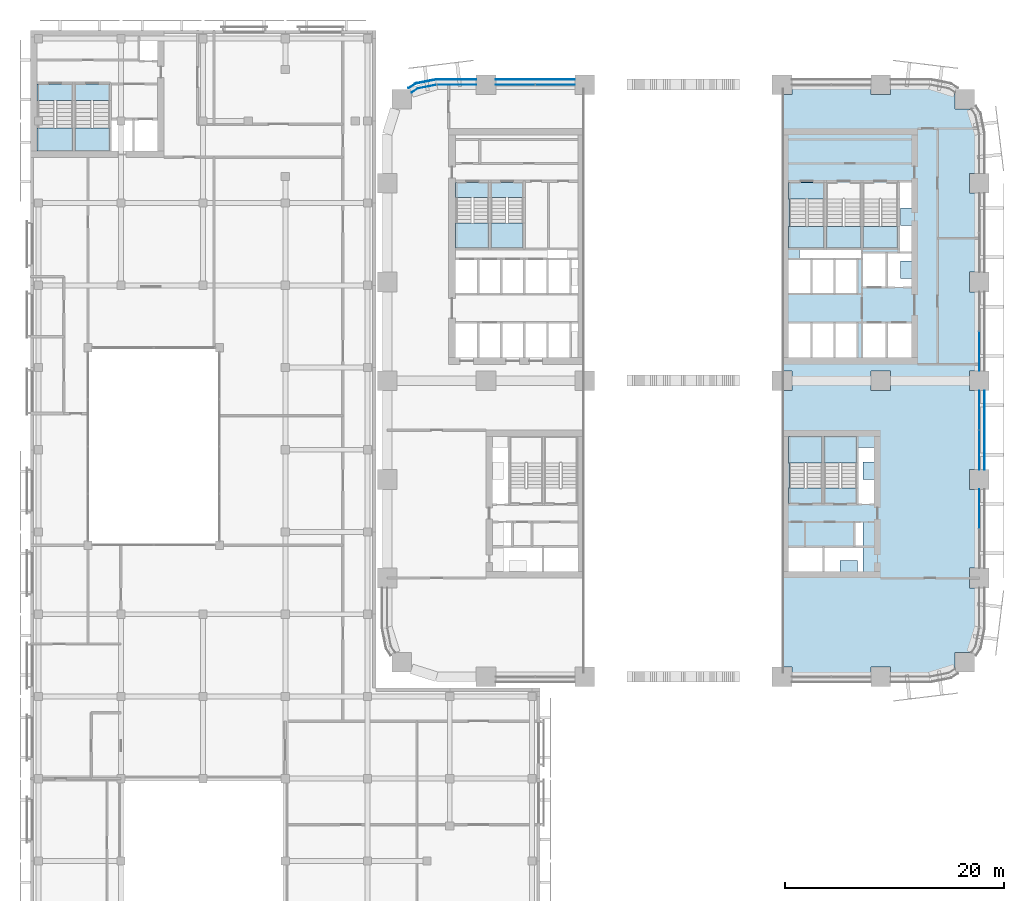
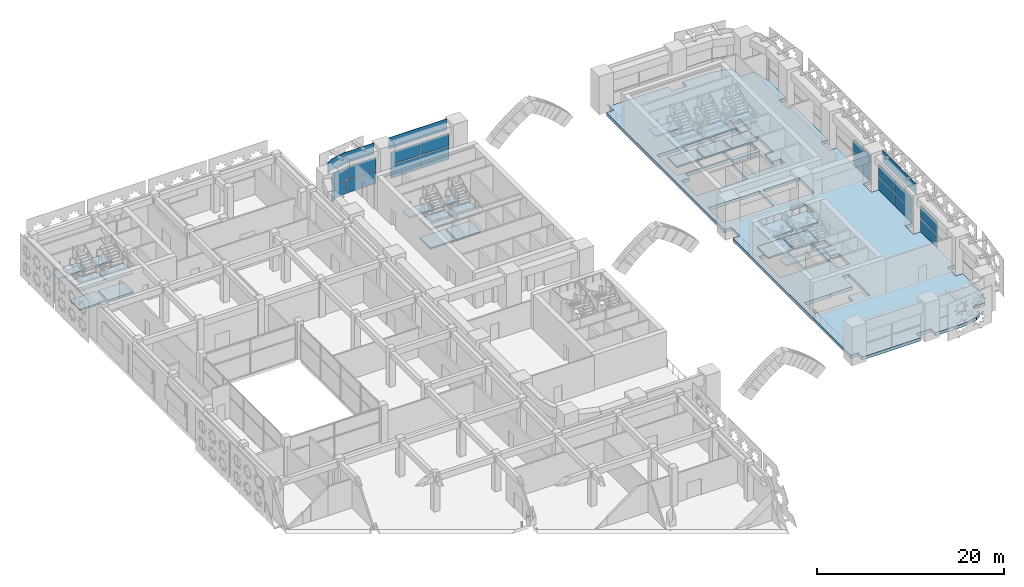
# One storey, part 12 of 40: 26 slabs, 19 plates, 14 elements without a shape of their own.
"""IFC4 building model written with IfcOpenShell, lengths in metres."""

from ifc_helpers import new_model, si_unit, direction, frame, origin, origin_2d, place, context, subcontext, project, spatial, polyline, rectangle, outline, extrude, material, layer, layer_set, type_object, element, aggregate, save


model = new_model("IFC4")

# Units and contexts
model_context = context("Model", 3, precision=1e-05, world=origin(), true_north=direction((0.0, 1.0)))
body_context = subcontext(model_context, "Body", "Model", "MODEL_VIEW")
ifc_project = project(units=[si_unit("LENGTHUNIT", "METRE"), si_unit("AREAUNIT", "SQUARE_METRE"), si_unit("VOLUMEUNIT", "CUBIC_METRE"), si_unit("PLANEANGLEUNIT", "RADIAN"), si_unit("MASSUNIT", "GRAM", prefix="KILO")], contexts=[model_context])

# Site, building, storey
site_placement = place(None, origin())
site = spatial("IfcSite", under=ifc_project, at=site_placement, CompositionType="ELEMENT")
building_placement = place(site_placement, origin())
building = spatial("IfcBuilding", under=site, at=building_placement, Name="Tessera Arch", CompositionType="ELEMENT")
storey_placement = place(building_placement, frame((0.0, 0.0, 21.0)))
storey = spatial("IfcBuildingStorey", under=building, at=storey_placement, Name="L03", CompositionType="ELEMENT", Elevation=21.0)

# Curtain wall, plates
ifc_material_1 = material(Name="CW2 curtain wall")
curtain_wall_type_1 = type_object("IfcCurtainWallType", Name="CW2 curtain wall", PredefinedType="NOTDEFINED", material=ifc_material_1)
curtain_wall_1_placement = place(storey_placement, origin())
curtain_wall_1 = element("IfcCurtainWall", 1, at=curtain_wall_1_placement, inside=storey, type_object=curtain_wall_type_1, Name="CW2 curtain wall N54.0/1 L03", PredefinedType="NOTDEFINED")
ifc_material_2 = material(Name="Clear low-e glass", Category="glass")
ifc_layer_1 = layer(ifc_material_2, 0.028076171875)
ifc_layer_set_1 = layer_set([ifc_layer_1], Name="CW2 glass panel")
plate_type_1 = type_object("IfcPlateType", Name="CW2 glass panel", PredefinedType="CURTAIN_PANEL", material=ifc_layer_set_1)
plate_1_placement = place(storey_placement, frame((6.320068359375, 54.0, 0.0), z_axis=(0.0, 0.0, 1.0), x_axis=(-1.0, 0.0, 0.0)))
plate_1 = element("IfcPlate", 2, at=plate_1_placement, type_object=plate_type_1, Name="CW2 glass panel N54.0/1 1.1", PredefinedType="CURTAIN_PANEL", context=body_context, shape_type="SweptSolid", body=[
    extrude(rectangle(XDim=3.56005859375, YDim=0.028076171875, at=origin_2d()), origin(), (0.0, 0.0, 1.0), 1.675048828125),
])
plate_2_placement = place(storey_placement, origin())
plate_2 = element("IfcPlate", 3, at=plate_2_placement, type_object=plate_type_1, Name="CW2 curved glass panel N54.0/1 2.1", PredefinedType="CURTAIN_PANEL", context=body_context, shape_type="SweptSolid", body=[
    extrude(outline(polyline([(2.783447265625, 53.644287109375), (4.46337890625, 53.978515625), (4.4580078125, 54.005859375), (2.7724609375, 53.670654296875), (2.210205078125, 53.294921875), (2.225830078125, 53.271728515625), (2.783447265625, 53.644287109375)])), origin(), (0.0, 0.0, 1.0), 1.675048828125),
])
plate_3_placement = place(storey_placement, frame((6.320068359375, 54.0, 1.77490234375), z_axis=(0.0, 0.0, 1.0), x_axis=(-1.0, 0.0, 0.0)))
plate_3 = element("IfcPlate", 4, at=plate_3_placement, type_object=plate_type_1, Name="CW2 glass panel N54.0/1 1.2", PredefinedType="CURTAIN_PANEL", context=body_context, shape_type="SweptSolid", body=[
    extrude(rectangle(XDim=3.56005859375, YDim=0.028076171875, at=origin_2d()), origin(), (0.0, 0.0, 1.0), 1.675048828125),
])
plate_4_placement = place(storey_placement, frame((0.0, 0.0, 1.77490234375)))
plate_4 = element("IfcPlate", 5, at=plate_4_placement, type_object=plate_type_1, Name="CW2 curved glass panel N54.0/1 2.2", PredefinedType="CURTAIN_PANEL", context=body_context, shape_type="SweptSolid", body=[
    extrude(outline(polyline([(2.783447265625, 53.644287109375), (4.46337890625, 53.978515625), (4.4580078125, 54.005859375), (2.7724609375, 53.670654296875), (2.210205078125, 53.294921875), (2.225830078125, 53.271728515625), (2.783447265625, 53.644287109375)])), origin(), (0.0, 0.0, 1.0), 1.675048828125),
])
ifc_material_3 = material(Name="Pale anodised aluminium panel", Category="aluminium")
ifc_layer_2 = layer(ifc_material_3, 0.06005859375)
ifc_layer_set_2 = layer_set([ifc_layer_2], Name="CW2 spandrel panel")
plate_type_2 = type_object("IfcPlateType", Name="CW2 spandrel panel", PredefinedType="CURTAIN_PANEL", material=ifc_layer_set_2)
plate_5_placement = place(storey_placement, frame((0.0, 0.0, 3.550048828125)))
plate_5 = element("IfcPlate", 6, at=plate_5_placement, type_object=plate_type_2, Name="CW2 spandrel panel N54.0/1", PredefinedType="CURTAIN_PANEL", context=body_context, shape_type="SweptSolid", body=[
    extrude(outline(polyline([(4.500732421875, 54.449951171875), (8.10009765625, 54.449951171875), (8.10009765625, 54.510009765625), (4.499267578125, 54.510009765625), (4.449951171875, 54.507568359375), (4.401123046875, 54.500244140625), (2.677734375, 54.157470703125), (2.6298828125, 54.1455078125), (2.582763671875, 54.128662109375), (2.537353515625, 54.107177734375), (2.4951171875, 54.08203125), (1.9345703125, 53.707275390625), (1.968017578125, 53.657470703125), (2.52734375, 54.03125), (2.565673828125, 54.05419921875), (2.605712890625, 54.0732421875), (2.647216796875, 54.088134765625), (2.69091796875, 54.09912109375), (4.411376953125, 54.441162109375), (4.455810546875, 54.44775390625), (4.500732421875, 54.449951171875)])), origin(), (0.0, 0.0, 1.0), 1.449951171875),
])
aggregate(curtain_wall_1, [plate_1, plate_2, plate_3, plate_4, plate_5])

ifc_material_4 = material(Name="CW6 curtain wall")
curtain_wall_type_2 = type_object("IfcCurtainWallType", Name="CW6 curtain wall", PredefinedType="NOTDEFINED", material=ifc_material_4)
curtain_wall_2_placement = place(storey_placement, origin())
curtain_wall_2 = element("IfcCurtainWall", 7, at=curtain_wall_2_placement, inside=storey, type_object=curtain_wall_type_2, Name="CW6 curtain wall N54.0/0 L03", PredefinedType="NOTDEFINED")
ifc_material_5 = material(Name="Clear low-e glass", Category="glass")
ifc_layer_3 = layer(ifc_material_5, 0.028076171875)
ifc_layer_set_3 = layer_set([ifc_layer_3], Name="CW6 glass panel")
plate_type_3 = type_object("IfcPlateType", Name="CW6 glass panel", PredefinedType="CURTAIN_PANEL", material=ifc_layer_set_3)
plate_6_placement = place(storey_placement, frame((15.3173828125, 54.0, 0.0), z_axis=(0.0, 0.0, 1.0), x_axis=(-1.0, 0.0, 0.0)))
plate_6 = element("IfcPlate", 8, at=plate_6_placement, type_object=plate_type_3, Name="CW6 glass panel N54.0/0 1.1.1", PredefinedType="CURTAIN_PANEL", context=body_context, shape_type="SweptSolid", body=[
    extrude(rectangle(XDim=3.56494140625, YDim=0.028076171875, at=origin_2d()), origin(), (0.0, 0.0, 1.0), 1.655029296875),
])
plate_7_placement = place(storey_placement, frame((15.3173828125, 54.0, 1.77490234375), z_axis=(0.0, 0.0, 1.0), x_axis=(-1.0, 0.0, 0.0)))
plate_7 = element("IfcPlate", 9, at=plate_7_placement, type_object=plate_type_3, Name="CW6 glass panel N54.0/0 1.1.2", PredefinedType="CURTAIN_PANEL", context=body_context, shape_type="SweptSolid", body=[
    extrude(rectangle(XDim=3.56494140625, YDim=0.028076171875, at=origin_2d()), origin(), (0.0, 0.0, 1.0), 1.655029296875),
])
plate_8_placement = place(storey_placement, frame((11.6826171875, 54.0, 0.0), z_axis=(0.0, 0.0, 1.0), x_axis=(-1.0, 0.0, 0.0)))
plate_8 = element("IfcPlate", 10, at=plate_8_placement, type_object=plate_type_3, Name="CW6 glass panel N54.0/0 1.2.1", PredefinedType="CURTAIN_PANEL", context=body_context, shape_type="SweptSolid", body=[
    extrude(rectangle(XDim=3.56494140625, YDim=0.028076171875, at=origin_2d()), origin(), (0.0, 0.0, 1.0), 1.655029296875),
])
plate_9_placement = place(storey_placement, frame((11.6826171875, 54.0, 1.77490234375), z_axis=(0.0, 0.0, 1.0), x_axis=(-1.0, 0.0, 0.0)))
plate_9 = element("IfcPlate", 11, at=plate_9_placement, type_object=plate_type_3, Name="CW6 glass panel N54.0/0 1.2.2", PredefinedType="CURTAIN_PANEL", context=body_context, shape_type="SweptSolid", body=[
    extrude(rectangle(XDim=3.56494140625, YDim=0.028076171875, at=origin_2d()), origin(), (0.0, 0.0, 1.0), 1.655029296875),
])

curtain_wall_3_placement = place(storey_placement, origin())
curtain_wall_3 = element("IfcCurtainWall", 12, at=curtain_wall_3_placement, inside=storey, type_object=curtain_wall_type_2, Name="CW6 curtain wall E54.0/0 L03", PredefinedType="NOTDEFINED")
plate_10_placement = place(storey_placement, frame((54.0, 15.3173828125, 0.0), z_axis=(0.0, 0.0, 1.0), x_axis=(0.0, 1.0, 0.0)))
plate_10 = element("IfcPlate", 13, at=plate_10_placement, type_object=plate_type_3, Name="CW6 glass panel E54.0/0 1.2.1", PredefinedType="CURTAIN_PANEL", context=body_context, shape_type="SweptSolid", body=[
    extrude(rectangle(XDim=3.56494140625, YDim=0.028076171875, at=origin_2d()), origin(), (0.0, 0.0, 1.0), 1.655029296875),
])
plate_11_placement = place(storey_placement, frame((54.0, 15.3173828125, 1.77490234375), z_axis=(0.0, 0.0, 1.0), x_axis=(0.0, 1.0, 0.0)))
plate_11 = element("IfcPlate", 14, at=plate_11_placement, type_object=plate_type_3, Name="CW6 glass panel E54.0/0 1.2.2", PredefinedType="CURTAIN_PANEL", context=body_context, shape_type="SweptSolid", body=[
    extrude(rectangle(XDim=3.56494140625, YDim=0.028076171875, at=origin_2d()), origin(), (0.0, 0.0, 1.0), 1.655029296875),
])
aggregate(curtain_wall_3, [plate_10, plate_11])

curtain_wall_4_placement = place(storey_placement, origin())
curtain_wall_4 = element("IfcCurtainWall", 15, at=curtain_wall_4_placement, inside=storey, type_object=curtain_wall_type_2, Name="CW6 curtain wall E54.0/1 L03", PredefinedType="NOTDEFINED")
plate_12_placement = place(storey_placement, frame((54.0, 20.6826171875, 0.0), z_axis=(0.0, 0.0, 1.0), x_axis=(0.0, 1.0, 0.0)))
plate_12 = element("IfcPlate", 16, at=plate_12_placement, type_object=plate_type_3, Name="CW6 glass panel E54.0/1 1.1.1", PredefinedType="CURTAIN_PANEL", context=body_context, shape_type="SweptSolid", body=[
    extrude(rectangle(XDim=3.56494140625, YDim=0.028076171875, at=origin_2d()), origin(), (0.0, 0.0, 1.0), 1.655029296875),
])
plate_13_placement = place(storey_placement, frame((54.0, 20.6826171875, 1.77490234375), z_axis=(0.0, 0.0, 1.0), x_axis=(0.0, 1.0, 0.0)))
plate_13 = element("IfcPlate", 17, at=plate_13_placement, type_object=plate_type_3, Name="CW6 glass panel E54.0/1 1.1.2", PredefinedType="CURTAIN_PANEL", context=body_context, shape_type="SweptSolid", body=[
    extrude(rectangle(XDim=3.56494140625, YDim=0.028076171875, at=origin_2d()), origin(), (0.0, 0.0, 1.0), 1.655029296875),
])
plate_14_placement = place(storey_placement, frame((54.0, 24.3173828125, 0.0), z_axis=(0.0, 0.0, 1.0), x_axis=(0.0, 1.0, 0.0)))
plate_14 = element("IfcPlate", 18, at=plate_14_placement, type_object=plate_type_3, Name="CW6 glass panel E54.0/1 1.2.1", PredefinedType="CURTAIN_PANEL", context=body_context, shape_type="SweptSolid", body=[
    extrude(rectangle(XDim=3.56494140625, YDim=0.028076171875, at=origin_2d()), origin(), (0.0, 0.0, 1.0), 1.655029296875),
])
plate_15_placement = place(storey_placement, frame((54.0, 24.3173828125, 1.77490234375), z_axis=(0.0, 0.0, 1.0), x_axis=(0.0, 1.0, 0.0)))
plate_15 = element("IfcPlate", 19, at=plate_15_placement, type_object=plate_type_3, Name="CW6 glass panel E54.0/1 1.2.2", PredefinedType="CURTAIN_PANEL", context=body_context, shape_type="SweptSolid", body=[
    extrude(rectangle(XDim=3.56494140625, YDim=0.028076171875, at=origin_2d()), origin(), (0.0, 0.0, 1.0), 1.655029296875),
])

curtain_wall_5_placement = place(storey_placement, origin())
curtain_wall_5 = element("IfcCurtainWall", 20, at=curtain_wall_5_placement, inside=storey, type_object=curtain_wall_type_2, Name="CW6 curtain wall E54.0/2 L03", PredefinedType="NOTDEFINED")
plate_16_placement = place(storey_placement, frame((54.0, 29.6826171875, 0.0), z_axis=(0.0, 0.0, 1.0), x_axis=(0.0, 1.0, 0.0)))
plate_16 = element("IfcPlate", 21, at=plate_16_placement, type_object=plate_type_3, Name="CW6 glass panel E54.0/2 1.1.1", PredefinedType="CURTAIN_PANEL", context=body_context, shape_type="SweptSolid", body=[
    extrude(rectangle(XDim=3.56494140625, YDim=0.028076171875, at=origin_2d()), origin(), (0.0, 0.0, 1.0), 1.655029296875),
])
plate_17_placement = place(storey_placement, frame((54.0, 29.6826171875, 1.77490234375), z_axis=(0.0, 0.0, 1.0), x_axis=(0.0, 1.0, 0.0)))
plate_17 = element("IfcPlate", 22, at=plate_17_placement, type_object=plate_type_3, Name="CW6 glass panel E54.0/2 1.1.2", PredefinedType="CURTAIN_PANEL", context=body_context, shape_type="SweptSolid", body=[
    extrude(rectangle(XDim=3.56494140625, YDim=0.028076171875, at=origin_2d()), origin(), (0.0, 0.0, 1.0), 1.655029296875),
])
aggregate(curtain_wall_5, [plate_16, plate_17])

# Plate
ifc_material_6 = material(Name="Pale anodised aluminium panel", Category="aluminium")
ifc_layer_4 = layer(ifc_material_6, 0.06005859375)
ifc_layer_set_4 = layer_set([ifc_layer_4], Name="CW6 spandrel panel")
plate_type_4 = type_object("IfcPlateType", Name="CW6 spandrel panel", PredefinedType="CURTAIN_PANEL", material=ifc_layer_set_4)
plate_18_placement = place(storey_placement, frame((13.5, 54.47998046875, 3.5498046875), z_axis=(0.0, 0.0, 1.0), x_axis=(-1.0, 0.0, 0.0)))
plate_18 = element("IfcPlate", 23, at=plate_18_placement, type_object=plate_type_4, Name="CW6 spandrel panel N54.0/0", PredefinedType="CURTAIN_PANEL", context=body_context, shape_type="SweptSolid", body=[
    extrude(rectangle(XDim=7.199951171875, YDim=0.06005859375, at=origin_2d()), origin(), (0.0, 0.0, 1.0), 1.449951171875),
])

aggregate(curtain_wall_2, [plate_6, plate_7, plate_8, plate_9, plate_18])

plate_19_placement = place(storey_placement, frame((54.47998046875, 22.5, 3.5498046875), z_axis=(0.0, 0.0, 1.0), x_axis=(0.0, 1.0, 0.0)))
plate_19 = element("IfcPlate", 24, at=plate_19_placement, type_object=plate_type_4, Name="CW6 spandrel panel E54.0/1", PredefinedType="CURTAIN_PANEL", context=body_context, shape_type="SweptSolid", body=[
    extrude(rectangle(XDim=7.199951171875, YDim=0.06005859375, at=origin_2d()), origin(), (0.0, 0.0, 1.0), 1.449951171875),
])

aggregate(curtain_wall_4, [plate_12, plate_13, plate_14, plate_15, plate_19])

# Slab
ifc_material_7 = material(Name="Concrete C40/50", Category="concrete")
ifc_layer_5 = layer(ifc_material_7, 0.409912109375)
ifc_layer_set_5 = layer_set([ifc_layer_5], Name="Floor slab 410 Concrete C40/50")
slab_type_1 = type_object("IfcSlabType", Name="Floor slab 410 Concrete C40/50", PredefinedType="FLOOR", material=ifc_layer_set_5)
slab_1_placement = place(storey_placement, frame((0.0, 0.0, -0.409912109375)))
element("IfcSlab", 25, at=slab_1_placement, inside=storey, type_object=slab_type_1, Name="Floor slab L03 2", PredefinedType="FLOOR", context=body_context, shape_type="SweptSolid", body=[
    extrude(outline(polyline([(53.283447265625, 2.218017578125), (51.781982421875, 2.218017578125), (51.781982421875, 0.716552734375), (51.22216796875, 0.342529296875), (49.5, 0.0), (45.89990234375, 0.0), (45.89990234375, 0.89990234375), (44.10009765625, 0.89990234375), (44.10009765625, 0.0), (36.89990234375, 0.0), (36.89990234375, 0.89990234375), (36.0, 0.89990234375), (36.0, 26.10009765625), (36.89990234375, 26.10009765625), (36.89990234375, 27.89990234375), (36.0, 27.89990234375), (36.0, 53.10009765625), (36.89990234375, 53.10009765625), (36.89990234375, 54.0), (44.10009765625, 54.0), (44.10009765625, 53.10009765625), (45.89990234375, 53.10009765625), (45.89990234375, 54.0), (49.5, 54.0), (51.22216796875, 53.657470703125), (51.781982421875, 53.283447265625), (51.781982421875, 51.781982421875), (53.283447265625, 51.781982421875), (53.657470703125, 51.22216796875), (54.0, 49.5), (54.0, 45.89990234375), (53.10009765625, 45.89990234375), (53.10009765625, 44.10009765625), (54.0, 44.10009765625), (54.0, 36.89990234375), (53.10009765625, 36.89990234375), (53.10009765625, 35.10009765625), (54.0, 35.10009765625), (54.0, 27.89990234375), (53.10009765625, 27.89990234375), (53.10009765625, 26.10009765625), (54.0, 26.10009765625), (54.0, 18.89990234375), (53.10009765625, 18.89990234375), (53.10009765625, 17.10009765625), (54.0, 17.10009765625), (54.0, 9.89990234375), (53.10009765625, 9.89990234375), (53.10009765625, 8.10009765625), (54.0, 8.10009765625), (54.0, 4.5), (53.657470703125, 2.77783203125), (53.283447265625, 2.218017578125)]), holes=[polyline([(38.10009765625, 17.199951171875), (38.25, 17.199951171875), (38.25, 17.2099609375), (39.64990234375, 17.2099609375), (39.64990234375, 21.699951171875), (36.699951171875, 21.699951171875), (36.699951171875, 17.2099609375), (38.10009765625, 17.2099609375), (38.10009765625, 17.199951171875)]), polyline([(38.699951171875, 29.10009765625), (40.800048828125, 29.10009765625), (42.89990234375, 29.10009765625), (42.89990234375, 32.300048828125), (40.800048828125, 32.300048828125), (38.699951171875, 32.300048828125), (36.60009765625, 32.300048828125), (36.60009765625, 29.10009765625), (38.699951171875, 29.10009765625)]), polyline([(36.60009765625, 38.10009765625), (36.60009765625, 34.89990234375), (38.699951171875, 34.89990234375), (40.800048828125, 34.89990234375), (42.89990234375, 34.89990234375), (42.89990234375, 38.10009765625), (43.300048828125, 38.10009765625), (43.300048828125, 35.5), (45.550048828125, 35.5), (47.800048828125, 35.5), (47.800048828125, 36.300048828125), (46.800048828125, 36.300048828125), (46.800048828125, 37.89990234375), (47.800048828125, 37.89990234375), (47.800048828125, 38.699951171875), (47.800048828125, 41.14990234375), (46.800048828125, 41.14990234375), (46.800048828125, 42.75), (47.800048828125, 42.75), (47.800048828125, 45.199951171875), (46.64990234375, 45.199951171875), (46.64990234375, 38.699951171875), (45.550048828125, 38.699951171875), (43.300048828125, 38.699951171875), (43.300048828125, 39.0), (37.60009765625, 39.0), (37.60009765625, 38.10009765625), (36.60009765625, 38.10009765625)]), polyline([(39.800048828125, 11.89990234375), (39.800048828125, 11.85009765625), (36.60009765625, 11.85009765625), (36.60009765625, 9.60009765625), (39.800048828125, 9.60009765625), (41.300048828125, 9.60009765625), (41.300048828125, 10.60009765625), (42.89990234375, 10.60009765625), (42.89990234375, 9.60009765625), (43.39990234375, 9.60009765625), (43.39990234375, 11.89990234375), (43.39990234375, 14.10009765625), (42.60009765625, 14.10009765625), (42.60009765625, 11.89990234375), (39.800048828125, 11.89990234375)]), polyline([(42.89990234375, 15.699951171875), (44.39990234375, 15.699951171875), (44.39990234375, 18.0), (43.39990234375, 18.0), (43.39990234375, 19.60009765625), (44.39990234375, 19.60009765625), (44.39990234375, 20.89990234375), (42.89990234375, 20.89990234375), (42.89990234375, 15.699951171875)]), polyline([(41.25, 17.199951171875), (41.39990234375, 17.199951171875), (41.39990234375, 17.2099609375), (42.800048828125, 17.2099609375), (42.800048828125, 21.699951171875), (39.85009765625, 21.699951171875), (39.85009765625, 17.2099609375), (41.25, 17.2099609375), (41.25, 17.199951171875)]), polyline([(44.10009765625, 27.89990234375), (44.10009765625, 26.10009765625), (45.89990234375, 26.10009765625), (45.89990234375, 27.89990234375), (44.10009765625, 27.89990234375)]), polyline([(45.550048828125, 29.10009765625), (47.800048828125, 29.10009765625), (47.800048828125, 32.300048828125), (45.550048828125, 32.300048828125), (43.300048828125, 32.300048828125), (43.300048828125, 29.10009765625), (45.550048828125, 29.10009765625)]), polyline([(38.330078125, 43.570068359375), (38.330078125, 43.580078125), (38.219970703125, 43.580078125), (38.219970703125, 43.570068359375), (36.699951171875, 43.570068359375), (36.699951171875, 39.199951171875), (39.85009765625, 39.199951171875), (39.85009765625, 43.570068359375), (38.330078125, 43.570068359375)]), polyline([(45.030029296875, 43.580078125), (44.919921875, 43.580078125), (44.919921875, 43.570068359375), (43.39990234375, 43.570068359375), (43.39990234375, 39.199951171875), (46.550048828125, 39.199951171875), (46.550048828125, 43.570068359375), (45.030029296875, 43.570068359375), (45.030029296875, 43.580078125)]), polyline([(41.679931640625, 43.570068359375), (41.679931640625, 43.580078125), (41.570068359375, 43.580078125), (41.570068359375, 43.570068359375), (40.050048828125, 43.570068359375), (40.050048828125, 39.199951171875), (43.199951171875, 39.199951171875), (43.199951171875, 43.570068359375), (41.679931640625, 43.570068359375)])]), origin(), (0.0, 0.0, 1.0), 0.409912109375),
])

# Stair, slabs
ifc_material_8 = material(Name="Concrete C40/50", Category="concrete")
stair_type_1 = type_object("IfcStairType", Name="Dogleg stair 1500", PredefinedType="HALF_TURN_STAIR", material=ifc_material_8)
stair_1_placement = place(storey_placement, origin())
stair_1 = element("IfcStair", 26, at=stair_1_placement, inside=storey, type_object=stair_type_1, Name="L03 M1a", PredefinedType="HALF_TURN_STAIR")
ifc_material_9 = material(Name="Concrete C40/50", Category="concrete")
ifc_layer_6 = layer(ifc_material_9, 0.300048828125)
ifc_layer_set_6 = layer_set([ifc_layer_6], Name="Stair landing 300")
slab_type_2 = type_object("IfcSlabType", Name="Stair landing 300", PredefinedType="LANDING", material=ifc_layer_set_6)
slab_2_placement = place(storey_placement, frame((0.0, 0.0, 1.050048828125)))
slab_2 = element("IfcSlab", 27, at=slab_2_placement, type_object=slab_type_2, Name="M1a landing 1", PredefinedType="LANDING", context=body_context, shape_type="SweptSolid", body=[
    extrude(outline(polyline([(-31.949951171875, 50.030029296875), (-31.949951171875, 47.949951171875), (-28.699951171875, 47.949951171875), (-28.699951171875, 50.030029296875), (-31.949951171875, 50.030029296875)])), origin(), (0.0, 0.0, 1.0), 0.199951171875),
])
slab_3_placement = place(storey_placement, frame((0.0, 0.0, 2.300048828125)))
slab_3 = element("IfcSlab", 28, at=slab_3_placement, type_object=slab_type_2, Name="M1a landing 2", PredefinedType="LANDING", context=body_context, shape_type="SweptSolid", body=[
    extrude(outline(polyline([(-31.949951171875, 54.050048828125), (-31.949951171875, 52.550048828125), (-28.699951171875, 52.550048828125), (-28.699951171875, 54.050048828125), (-31.949951171875, 54.050048828125)])), origin(), (0.0, 0.0, 1.0), 0.199951171875),
])
slab_4_placement = place(storey_placement, frame((0.0, 0.0, 3.550048828125)))
slab_4 = element("IfcSlab", 29, at=slab_4_placement, type_object=slab_type_2, Name="M1a landing 3", PredefinedType="LANDING", context=body_context, shape_type="SweptSolid", body=[
    extrude(outline(polyline([(-31.949951171875, 50.030029296875), (-31.949951171875, 47.949951171875), (-28.699951171875, 47.949951171875), (-28.699951171875, 50.030029296875), (-31.949951171875, 50.030029296875)])), origin(), (0.0, 0.0, 1.0), 0.199951171875),
])
aggregate(stair_1, [slab_2, slab_3, slab_4])

stair_2_placement = place(storey_placement, origin())
stair_2 = element("IfcStair", 30, at=stair_2_placement, inside=storey, type_object=stair_type_1, Name="L03 M1b", PredefinedType="HALF_TURN_STAIR")
slab_5_placement = place(storey_placement, frame((0.0, 0.0, 1.050048828125)))
slab_5 = element("IfcSlab", 31, at=slab_5_placement, type_object=slab_type_2, Name="M1b landing 1", PredefinedType="LANDING", context=body_context, shape_type="SweptSolid", body=[
    extrude(outline(polyline([(-28.5, 50.030029296875), (-28.5, 47.949951171875), (-25.35009765625, 47.949951171875), (-25.35009765625, 50.030029296875), (-28.5, 50.030029296875)])), origin(), (0.0, 0.0, 1.0), 0.199951171875),
])
slab_6_placement = place(storey_placement, frame((0.0, 0.0, 2.300048828125)))
slab_6 = element("IfcSlab", 32, at=slab_6_placement, type_object=slab_type_2, Name="M1b landing 2", PredefinedType="LANDING", context=body_context, shape_type="SweptSolid", body=[
    extrude(outline(polyline([(-28.5, 54.050048828125), (-28.5, 52.550048828125), (-25.35009765625, 52.550048828125), (-25.35009765625, 54.050048828125), (-28.5, 54.050048828125)])), origin(), (0.0, 0.0, 1.0), 0.199951171875),
])
slab_7_placement = place(storey_placement, frame((0.0, 0.0, 3.550048828125)))
slab_7 = element("IfcSlab", 33, at=slab_7_placement, type_object=slab_type_2, Name="M1b landing 3", PredefinedType="LANDING", context=body_context, shape_type="SweptSolid", body=[
    extrude(outline(polyline([(-28.5, 50.030029296875), (-28.5, 47.949951171875), (-25.35009765625, 47.949951171875), (-25.35009765625, 50.030029296875), (-28.5, 50.030029296875)])), origin(), (0.0, 0.0, 1.0), 0.199951171875),
])
aggregate(stair_2, [slab_5, slab_6, slab_7])

ifc_material_10 = material(Name="Concrete C40/50", Category="concrete")
stair_type_2 = type_object("IfcStairType", Name="Dogleg stair 1520", PredefinedType="HALF_TURN_STAIR", material=ifc_material_10)
stair_3_placement = place(storey_placement, origin())
stair_3 = element("IfcStair", 34, at=stair_3_placement, inside=storey, type_object=stair_type_2, Name="L03 S1a", PredefinedType="HALF_TURN_STAIR")
slab_8_placement = place(storey_placement, frame((0.0, 0.0, 1.050048828125)))
slab_8 = element("IfcSlab", 35, at=slab_8_placement, type_object=slab_type_2, Name="S1a landing 1", PredefinedType="LANDING", context=body_context, shape_type="SweptSolid", body=[
    extrude(outline(polyline([(36.60009765625, 41.06005859375), (36.60009765625, 39.10009765625), (39.85009765625, 39.10009765625), (39.85009765625, 41.06005859375), (36.60009765625, 41.06005859375)])), origin(), (0.0, 0.0, 1.0), 0.199951171875),
])
slab_9_placement = place(storey_placement, frame((0.0, 0.0, 2.300048828125)))
slab_9 = element("IfcSlab", 36, at=slab_9_placement, type_object=slab_type_2, Name="S1a landing 2", PredefinedType="LANDING", context=body_context, shape_type="SweptSolid", body=[
    extrude(outline(polyline([(36.60009765625, 45.10009765625), (36.60009765625, 43.580078125), (39.85009765625, 43.580078125), (39.85009765625, 45.10009765625), (36.60009765625, 45.10009765625)])), origin(), (0.0, 0.0, 1.0), 0.199951171875),
])
slab_10_placement = place(storey_placement, frame((0.0, 0.0, 3.550048828125)))
slab_10 = element("IfcSlab", 37, at=slab_10_placement, type_object=slab_type_2, Name="S1a landing 3", PredefinedType="LANDING", context=body_context, shape_type="SweptSolid", body=[
    extrude(outline(polyline([(36.60009765625, 41.06005859375), (36.60009765625, 39.10009765625), (39.85009765625, 39.10009765625), (39.85009765625, 41.06005859375), (36.60009765625, 41.06005859375)])), origin(), (0.0, 0.0, 1.0), 0.199951171875),
])
aggregate(stair_3, [slab_8, slab_9, slab_10])

stair_4_placement = place(storey_placement, origin())
stair_4 = element("IfcStair", 38, at=stair_4_placement, inside=storey, type_object=stair_type_2, Name="L03 S1b", PredefinedType="HALF_TURN_STAIR")
slab_11_placement = place(storey_placement, frame((0.0, 0.0, 1.050048828125)))
slab_11 = element("IfcSlab", 39, at=slab_11_placement, type_object=slab_type_2, Name="S1b landing 1", PredefinedType="LANDING", context=body_context, shape_type="SweptSolid", body=[
    extrude(outline(polyline([(40.050048828125, 41.06005859375), (40.050048828125, 39.10009765625), (43.199951171875, 39.10009765625), (43.199951171875, 41.06005859375), (40.050048828125, 41.06005859375)])), origin(), (0.0, 0.0, 1.0), 0.199951171875),
])
slab_12_placement = place(storey_placement, frame((0.0, 0.0, 3.550048828125)))
slab_12 = element("IfcSlab", 40, at=slab_12_placement, type_object=slab_type_2, Name="S1b landing 3", PredefinedType="LANDING", context=body_context, shape_type="SweptSolid", body=[
    extrude(outline(polyline([(40.050048828125, 41.06005859375), (40.050048828125, 39.10009765625), (43.199951171875, 39.10009765625), (43.199951171875, 41.06005859375), (40.050048828125, 41.06005859375)])), origin(), (0.0, 0.0, 1.0), 0.199951171875),
])
aggregate(stair_4, [slab_11, slab_12])

stair_5_placement = place(storey_placement, origin())
stair_5 = element("IfcStair", 41, at=stair_5_placement, inside=storey, type_object=stair_type_2, Name="L03 S1c", PredefinedType="HALF_TURN_STAIR")
slab_13_placement = place(storey_placement, frame((0.0, 0.0, 1.050048828125)))
slab_13 = element("IfcSlab", 42, at=slab_13_placement, type_object=slab_type_2, Name="S1c landing 1", PredefinedType="LANDING", context=body_context, shape_type="SweptSolid", body=[
    extrude(outline(polyline([(43.39990234375, 41.06005859375), (43.39990234375, 39.10009765625), (46.550048828125, 39.10009765625), (46.550048828125, 41.06005859375), (43.39990234375, 41.06005859375)])), origin(), (0.0, 0.0, 1.0), 0.199951171875),
])
slab_14_placement = place(storey_placement, frame((0.0, 0.0, 3.550048828125)))
slab_14 = element("IfcSlab", 43, at=slab_14_placement, type_object=slab_type_2, Name="S1c landing 3", PredefinedType="LANDING", context=body_context, shape_type="SweptSolid", body=[
    extrude(outline(polyline([(43.39990234375, 41.06005859375), (43.39990234375, 39.10009765625), (46.550048828125, 39.10009765625), (46.550048828125, 41.06005859375), (43.39990234375, 41.06005859375)])), origin(), (0.0, 0.0, 1.0), 0.199951171875),
])
aggregate(stair_5, [slab_13, slab_14])

ifc_material_11 = material(Name="Concrete C40/50", Category="concrete")
stair_type_3 = type_object("IfcStairType", Name="Dogleg stair 1400", PredefinedType="HALF_TURN_STAIR", material=ifc_material_11)
stair_6_placement = place(storey_placement, origin())
stair_6 = element("IfcStair", 44, at=stair_6_placement, inside=storey, type_object=stair_type_3, Name="L03 S2a", PredefinedType="HALF_TURN_STAIR")
slab_15_placement = place(storey_placement, frame((0.0, 0.0, 1.050048828125)))
slab_15 = element("IfcSlab", 45, at=slab_15_placement, type_object=slab_type_2, Name="S2a landing 1", PredefinedType="LANDING", context=body_context, shape_type="SweptSolid", body=[
    extrude(outline(polyline([(6.199951171875, 41.389892578125), (6.199951171875, 39.10009765625), (9.25, 39.10009765625), (9.25, 41.389892578125), (6.199951171875, 41.389892578125)])), origin(), (0.0, 0.0, 1.0), 0.199951171875),
])
slab_16_placement = place(storey_placement, frame((0.0, 0.0, 2.300048828125)))
slab_16 = element("IfcSlab", 46, at=slab_16_placement, type_object=slab_type_2, Name="S2a landing 2", PredefinedType="LANDING", context=body_context, shape_type="SweptSolid", body=[
    extrude(outline(polyline([(6.199951171875, 45.10009765625), (6.199951171875, 43.699951171875), (9.25, 43.699951171875), (9.25, 45.10009765625), (6.199951171875, 45.10009765625)])), origin(), (0.0, 0.0, 1.0), 0.199951171875),
])
slab_17_placement = place(storey_placement, frame((0.0, 0.0, 3.550048828125)))
slab_17 = element("IfcSlab", 47, at=slab_17_placement, type_object=slab_type_2, Name="S2a landing 3", PredefinedType="LANDING", context=body_context, shape_type="SweptSolid", body=[
    extrude(outline(polyline([(6.199951171875, 41.389892578125), (6.199951171875, 39.10009765625), (9.25, 39.10009765625), (9.25, 41.389892578125), (6.199951171875, 41.389892578125)])), origin(), (0.0, 0.0, 1.0), 0.199951171875),
])
aggregate(stair_6, [slab_15, slab_16, slab_17])

stair_7_placement = place(storey_placement, origin())
stair_7 = element("IfcStair", 48, at=stair_7_placement, inside=storey, type_object=stair_type_3, Name="L03 S2b", PredefinedType="HALF_TURN_STAIR")
slab_18_placement = place(storey_placement, frame((0.0, 0.0, 1.050048828125)))
slab_18 = element("IfcSlab", 49, at=slab_18_placement, type_object=slab_type_2, Name="S2b landing 1", PredefinedType="LANDING", context=body_context, shape_type="SweptSolid", body=[
    extrude(outline(polyline([(9.449951171875, 41.389892578125), (9.449951171875, 39.10009765625), (12.39990234375, 39.10009765625), (12.39990234375, 41.389892578125), (9.449951171875, 41.389892578125)])), origin(), (0.0, 0.0, 1.0), 0.199951171875),
])
slab_19_placement = place(storey_placement, frame((0.0, 0.0, 2.300048828125)))
slab_19 = element("IfcSlab", 50, at=slab_19_placement, type_object=slab_type_2, Name="S2b landing 2", PredefinedType="LANDING", context=body_context, shape_type="SweptSolid", body=[
    extrude(outline(polyline([(9.449951171875, 45.10009765625), (9.449951171875, 43.699951171875), (12.39990234375, 43.699951171875), (12.39990234375, 45.10009765625), (9.449951171875, 45.10009765625)])), origin(), (0.0, 0.0, 1.0), 0.199951171875),
])
slab_20_placement = place(storey_placement, frame((0.0, 0.0, 3.550048828125)))
slab_20 = element("IfcSlab", 51, at=slab_20_placement, type_object=slab_type_2, Name="S2b landing 3", PredefinedType="LANDING", context=body_context, shape_type="SweptSolid", body=[
    extrude(outline(polyline([(9.449951171875, 41.389892578125), (9.449951171875, 39.10009765625), (12.39990234375, 39.10009765625), (12.39990234375, 41.389892578125), (9.449951171875, 41.389892578125)])), origin(), (0.0, 0.0, 1.0), 0.199951171875),
])
aggregate(stair_7, [slab_18, slab_19, slab_20])

stair_8_placement = place(storey_placement, origin())
stair_8 = element("IfcStair", 52, at=stair_8_placement, inside=storey, type_object=stair_type_3, Name="L03 S3a", PredefinedType="HALF_TURN_STAIR")
slab_21_placement = place(storey_placement, frame((0.0, 0.0, 1.050048828125)))
slab_21 = element("IfcSlab", 53, at=slab_21_placement, type_object=slab_type_2, Name="S3a landing 1", PredefinedType="LANDING", context=body_context, shape_type="SweptSolid", body=[
    extrude(outline(polyline([(39.64990234375, 19.510009765625), (39.64990234375, 21.89990234375), (36.60009765625, 21.89990234375), (36.60009765625, 19.510009765625), (39.64990234375, 19.510009765625)])), origin(), (0.0, 0.0, 1.0), 0.199951171875),
])
slab_22_placement = place(storey_placement, frame((0.0, 0.0, 2.300048828125)))
slab_22 = element("IfcSlab", 54, at=slab_22_placement, type_object=slab_type_2, Name="S3a landing 2", PredefinedType="LANDING", context=body_context, shape_type="SweptSolid", body=[
    extrude(outline(polyline([(39.64990234375, 15.800048828125), (39.64990234375, 17.199951171875), (36.60009765625, 17.199951171875), (36.60009765625, 15.800048828125), (39.64990234375, 15.800048828125)])), origin(), (0.0, 0.0, 1.0), 0.199951171875),
])
slab_23_placement = place(storey_placement, frame((0.0, 0.0, 3.550048828125)))
slab_23 = element("IfcSlab", 55, at=slab_23_placement, type_object=slab_type_2, Name="S3a landing 3", PredefinedType="LANDING", context=body_context, shape_type="SweptSolid", body=[
    extrude(outline(polyline([(39.64990234375, 19.510009765625), (39.64990234375, 21.89990234375), (36.60009765625, 21.89990234375), (36.60009765625, 19.510009765625), (39.64990234375, 19.510009765625)])), origin(), (0.0, 0.0, 1.0), 0.199951171875),
])
aggregate(stair_8, [slab_21, slab_22, slab_23])

stair_9_placement = place(storey_placement, origin())
stair_9 = element("IfcStair", 56, at=stair_9_placement, inside=storey, type_object=stair_type_3, Name="L03 S3b", PredefinedType="HALF_TURN_STAIR")
slab_24_placement = place(storey_placement, frame((0.0, 0.0, 1.050048828125)))
slab_24 = element("IfcSlab", 57, at=slab_24_placement, type_object=slab_type_2, Name="S3b landing 1", PredefinedType="LANDING", context=body_context, shape_type="SweptSolid", body=[
    extrude(outline(polyline([(42.800048828125, 19.510009765625), (42.800048828125, 21.89990234375), (39.85009765625, 21.89990234375), (39.85009765625, 19.510009765625), (42.800048828125, 19.510009765625)])), origin(), (0.0, 0.0, 1.0), 0.199951171875),
])
slab_25_placement = place(storey_placement, frame((0.0, 0.0, 2.300048828125)))
slab_25 = element("IfcSlab", 58, at=slab_25_placement, type_object=slab_type_2, Name="S3b landing 2", PredefinedType="LANDING", context=body_context, shape_type="SweptSolid", body=[
    extrude(outline(polyline([(42.800048828125, 15.800048828125), (42.800048828125, 17.199951171875), (39.85009765625, 17.199951171875), (39.85009765625, 15.800048828125), (42.800048828125, 15.800048828125)])), origin(), (0.0, 0.0, 1.0), 0.199951171875),
])
slab_26_placement = place(storey_placement, frame((0.0, 0.0, 3.550048828125)))
slab_26 = element("IfcSlab", 59, at=slab_26_placement, type_object=slab_type_2, Name="S3b landing 3", PredefinedType="LANDING", context=body_context, shape_type="SweptSolid", body=[
    extrude(outline(polyline([(42.800048828125, 19.510009765625), (42.800048828125, 21.89990234375), (39.85009765625, 21.89990234375), (39.85009765625, 19.510009765625), (42.800048828125, 19.510009765625)])), origin(), (0.0, 0.0, 1.0), 0.199951171875),
])
aggregate(stair_9, [slab_24, slab_25, slab_26])

save(model, "model.ifc")
